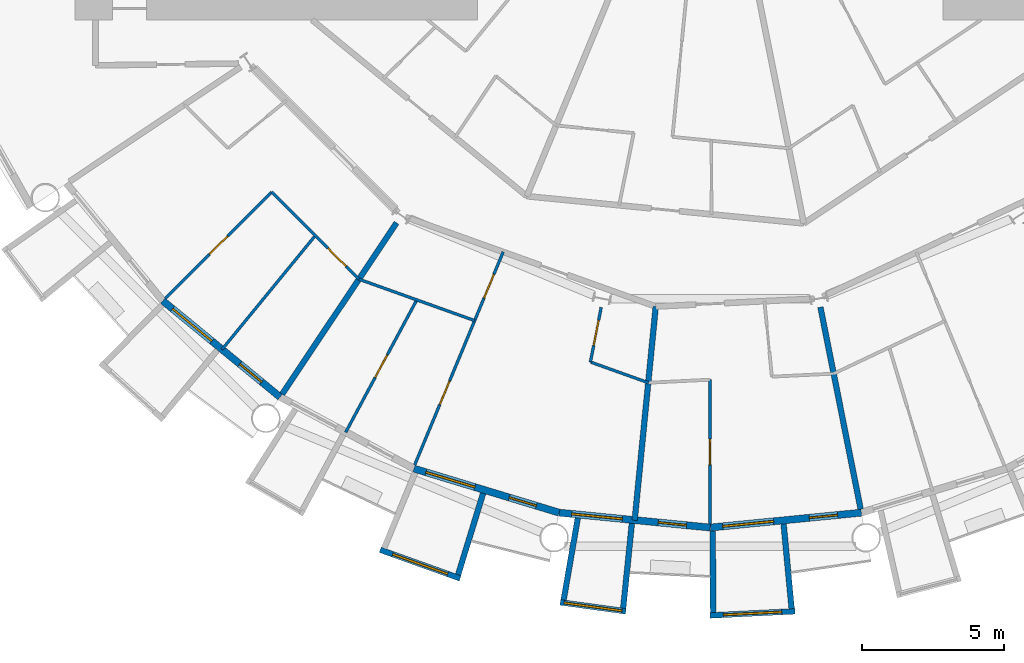
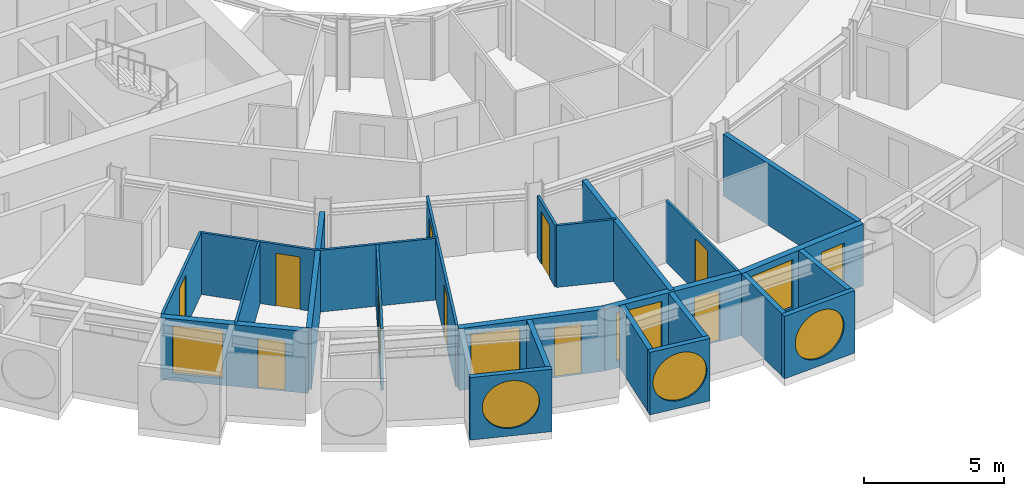
# One storey, part 13 of 26: 24 walls, 11 doors, 7 windows, 18 openings.
"""IFC4 building model written with IfcOpenShell, lengths in metres."""

from ifc_helpers import new_model, si_unit, direction, frame, frame_2d, origin, place, context, subcontext, project, spatial, rectangle, circle, extrude, material, layer, layer_set, type_object, element, fill, save


model = new_model("IFC4")

# Units and contexts
model_context = context("Model", 3, precision=1e-05, world=origin(), true_north=direction((0.0, 1.0)))
body_context = subcontext(model_context, "Body", "Model", "MODEL_VIEW")
ifc_project = project(units=[si_unit("LENGTHUNIT", "METRE"), si_unit("AREAUNIT", "SQUARE_METRE"), si_unit("VOLUMEUNIT", "CUBIC_METRE"), si_unit("PLANEANGLEUNIT", "RADIAN"), si_unit("MASSUNIT", "GRAM", prefix="KILO")], contexts=[model_context])

# Site, building, storey
site_placement = place(None, origin())
site = spatial("IfcSite", under=ifc_project, at=site_placement, CompositionType="ELEMENT")
building_placement = place(site_placement, origin())
building = spatial("IfcBuilding", under=site, at=building_placement, Name="Maasbend Ring Residences", CompositionType="ELEMENT")
storey_placement = place(building_placement, frame((0.0, 0.0, 25.85009765625)))
storey = spatial("IfcBuildingStorey", under=building, at=storey_placement, Name="L06", CompositionType="ELEMENT", Elevation=25.85009765625)

# Wall, opening, window
ifc_material_1 = material(Name="Pale anodised aluminium panel", Category="aluminium")
ifc_layer_1 = layer(ifc_material_1, 0.199951171875)
ifc_layer_set_1 = layer_set([ifc_layer_1], Name="EW-BOX")
wall_type_1 = type_object("IfcWallType", Name="EW-BOX", PredefinedType="SOLIDWALL", material=ifc_layer_set_1)
wall_1_placement = place(storey_placement, frame((-11.637939453125, -28.083984375, -0.030029296875), z_axis=(0.0, 0.0, 1.0), x_axis=(0.941461077774, -0.337121697664, 0.0)))
wall_1 = element("IfcWall", 1, at=wall_1_placement, inside=storey, type_object=wall_type_1, Name="Box front S07", PredefinedType="SOLIDWALL", context=body_context, shape_type="SweptSolid", body=[
    extrude(rectangle(XDim=2.9931640625, YDim=0.199951171875, at=frame_2d((1.49658203125, 0.0))), origin(), (0.0, 0.0, 1.0), 2.72998046875),
])
opening_1_placement = place(wall_1_placement, frame((0.45654296875, 0.0, 0.330078125)))
opening_1 = element("IfcOpeningElement", 2, at=opening_1_placement, cuts=wall_1, Name="Opening W-RD", PredefinedType="OPENING", context=body_context, shape_type="SweptSolid", body=[
    extrude(circle(Radius=1.0400390625, at=frame_2d((1.0400390625, 1.0400390625))), frame((0.0, 0.10986328125, 0.0), z_axis=(0.0, -1.0, 0.0), x_axis=(1.0, 0.0, 0.0)), (0.0, 0.0, 1.0), 0.219970703125),
])
ifc_material_2 = material(Name="Aluminium and clear glass", Category="aluminium")
window_type_1 = type_object("IfcWindowType", Name="W-RD", PartitioningType="SINGLE_PANEL", PredefinedType="WINDOW", material=ifc_material_2)
window_1_placement = place(opening_1_placement, origin())
window_1 = element("IfcWindow", 3, at=window_1_placement, inside=storey, type_object=window_type_1, Name="Round window S07", OverallHeight=2.080078125, OverallWidth=2.080078125, PartitioningType="SINGLE_PANEL", PredefinedType="WINDOW", context=body_context, shape_type="SweptSolid", body=[
    extrude(circle(Radius=1.0400390625, at=frame_2d((1.0400390625, 1.0400390625))), frame((0.0, 0.030029296875, 0.0), z_axis=(0.0, -1.0, 0.0), x_axis=(1.0, 0.0, 0.0)), (0.0, 0.0, 1.0), 0.06005859375),
])
fill(opening_1, window_1)

# Wall
wall_2_placement = place(storey_placement, frame((-8.009033203125, -26.092041015625, -0.030029296875), z_axis=(0.0, 0.0, 1.0), x_axis=(-0.293406695073, -0.955987715029, 0.0)))
element("IfcWall", 4, at=wall_2_placement, inside=storey, type_object=wall_type_1, Name="Box side wall S07 right", PredefinedType="SOLIDWALL", context=body_context, shape_type="SweptSolid", body=[
    extrude(rectangle(XDim=3.00634765625, YDim=0.199951171875, at=frame_2d((1.503173828125, 0.0))), origin(), (0.0, 0.0, 1.0), 2.72998046875),
])

# Wall, opening, window
wall_3_placement = place(storey_placement, frame((-5.2900390625, -29.93603515625, -0.030029296875), z_axis=(0.0, 0.0, 1.0), x_axis=(0.990696111261, -0.136092671119, 0.0)))
wall_3 = element("IfcWall", 5, at=wall_3_placement, inside=storey, type_object=wall_type_1, Name="Box front S09", PredefinedType="SOLIDWALL", context=body_context, shape_type="SweptSolid", body=[
    extrude(rectangle(XDim=2.335693359375, YDim=0.199951171875, at=frame_2d((1.16796875, 0.0))), origin(), (0.0, 0.0, 1.0), 2.72998046875),
])
opening_2_placement = place(wall_3_placement, frame((0.128173828125, 0.0, 0.330078125)))
opening_2 = element("IfcOpeningElement", 6, at=opening_2_placement, cuts=wall_3, Name="Opening W-RD", PredefinedType="OPENING", context=body_context, shape_type="SweptSolid", body=[
    extrude(circle(Radius=1.0400390625, at=frame_2d((1.0400390625, 1.0400390625))), frame((0.0, 0.10986328125, 0.0), z_axis=(0.0, -1.0, 0.0), x_axis=(1.0, 0.0, 0.0)), (0.0, 0.0, 1.0), 0.219970703125),
])
window_2_placement = place(opening_2_placement, origin())
window_2 = element("IfcWindow", 7, at=window_2_placement, inside=storey, type_object=window_type_1, Name="Round window S09", OverallHeight=2.080078125, OverallWidth=2.080078125, PartitioningType="SINGLE_PANEL", PredefinedType="WINDOW", context=body_context, shape_type="SweptSolid", body=[
    extrude(circle(Radius=1.0400390625, at=frame_2d((1.0400390625, 1.0400390625))), frame((0.0, 0.030029296875, 0.0), z_axis=(0.0, -1.0, 0.0), x_axis=(1.0, 0.0, 0.0)), (0.0, 0.0, 1.0), 0.06005859375),
])
fill(opening_2, window_2)

# Walls
wall_4_placement = place(storey_placement, frame((-4.6708984375, -26.966064453125, -0.030029296875), z_axis=(0.0, 0.0, 1.0), x_axis=(-0.170539878907, -0.985350774954, 0.0)))
element("IfcWall", 8, at=wall_4_placement, inside=storey, type_object=wall_type_1, Name="Box side wall S09 left", PredefinedType="SOLIDWALL", context=body_context, shape_type="SweptSolid", body=[
    extrude(rectangle(XDim=2.931884765625, YDim=0.199951171875, at=frame_2d((1.4658203125, 0.0))), origin(), (0.0, 0.0, 1.0), 2.72998046875),
])
wall_5_placement = place(storey_placement, frame((-2.763916015625, -27.153076171875, -0.030029296875), z_axis=(0.0, 0.0, 1.0), x_axis=(-0.101505487237, -0.994834979311, 0.0)))
element("IfcWall", 9, at=wall_5_placement, inside=storey, type_object=wall_type_1, Name="Box side wall S09 right", PredefinedType="SOLIDWALL", context=body_context, shape_type="SweptSolid", body=[
    extrude(rectangle(XDim=3.006591796875, YDim=0.199951171875, at=frame_2d((1.50341796875, 0.0))), origin(), (0.0, 0.0, 1.0), 2.72998046875),
])

# Wall, opening, window
wall_6_placement = place(storey_placement, frame((-0.0048828125, -30.39990234375, -0.030029296875), z_axis=(0.0, 0.0, 1.0), x_axis=(0.998794083011, 0.049095618353, 0.0)))
wall_6 = element("IfcWall", 10, at=wall_6_placement, inside=storey, type_object=wall_type_1, Name="Box front S11", PredefinedType="SOLIDWALL", context=body_context, shape_type="SweptSolid", body=[
    extrude(rectangle(XDim=2.99365234375, YDim=0.199951171875, at=frame_2d((1.496826171875, 0.0))), origin(), (0.0, 0.0, 1.0), 2.72998046875),
])
opening_3_placement = place(wall_6_placement, frame((0.45654296875, 0.0, 0.330078125)))
opening_3 = element("IfcOpeningElement", 11, at=opening_3_placement, cuts=wall_6, Name="Opening W-RD", PredefinedType="OPENING", context=body_context, shape_type="SweptSolid", body=[
    extrude(circle(Radius=1.0400390625, at=frame_2d((1.0400390625, 1.0400390625))), frame((0.0, 0.10986328125, 0.0), z_axis=(0.0, -1.0, 0.0), x_axis=(1.0, 0.0, 0.0)), (0.0, 0.0, 1.0), 0.219970703125),
])
window_3_placement = place(opening_3_placement, origin())
window_3 = element("IfcWindow", 12, at=window_3_placement, inside=storey, type_object=window_type_1, Name="Round window S11", OverallHeight=2.080078125, OverallWidth=2.080078125, PartitioningType="SINGLE_PANEL", PredefinedType="WINDOW", context=body_context, shape_type="SweptSolid", body=[
    extrude(circle(Radius=1.0400390625, at=frame_2d((1.0400390625, 1.0400390625))), frame((0.0, 0.030029296875, 0.0), z_axis=(0.0, -1.0, 0.0), x_axis=(1.0, 0.0, 0.0)), (0.0, 0.0, 1.0), 0.06005859375),
])
fill(opening_3, window_3)

# Walls
wall_7_placement = place(storey_placement, frame((0.090087890625, -27.4169921875, -0.030029296875), z_axis=(0.0, 0.0, 1.0), x_axis=(0.00347308367, -0.999993968827, 0.0)))
element("IfcWall", 13, at=wall_7_placement, inside=storey, type_object=wall_type_1, Name="Box side wall S11 left", PredefinedType="SOLIDWALL", context=body_context, shape_type="SweptSolid", body=[
    extrude(rectangle(XDim=2.882080078125, YDim=0.199951171875, at=frame_2d((1.44091796875, 0.0))), origin(), (0.0, 0.0, 1.0), 2.72998046875),
])
wall_8_placement = place(storey_placement, frame((2.5859375, -27.1708984375, -0.030029296875), z_axis=(0.0, 0.0, 1.0), x_axis=(0.094548432284, -0.995520262954, 0.0)))
element("IfcWall", 14, at=wall_8_placement, inside=storey, type_object=wall_type_1, Name="Box side wall S11 right", PredefinedType="SOLIDWALL", context=body_context, shape_type="SweptSolid", body=[
    extrude(rectangle(XDim=3.005615234375, YDim=0.199951171875, at=frame_2d((1.5029296875, 0.0))), origin(), (0.0, 0.0, 1.0), 2.72998046875),
])

# Wall, openings, door, window
ifc_material_3 = material(Name="Aluminium clad insulated panel", Category="aluminium")
ifc_layer_2 = layer(ifc_material_3, 0.25)
ifc_layer_set_2 = layer_set([ifc_layer_2], Name="EW-GL")
wall_type_2 = type_object("IfcWallType", Name="EW-GL", PredefinedType="SOLIDWALL", material=ifc_layer_set_2)
wall_9_placement = place(storey_placement, frame((-19.303955078125, -19.303955078125, 0.0), z_axis=(0.0, 0.0, 1.0), x_axis=(0.773019449054, -0.634382322723, 0.0)))
wall_9 = element("IfcWall", 15, at=wall_9_placement, inside=storey, type_object=wall_type_2, Name="External wall S02", PredefinedType="SOLIDWALL", context=body_context, shape_type="SweptSolid", body=[
    extrude(rectangle(XDim=5.351806640625, YDim=0.25, at=frame_2d((2.67578125, 0.0))), origin(), (0.0, 0.0, 1.0), 2.699951171875),
])
opening_4_placement = place(wall_9_placement, frame((0.441162109375, 0.0, 0.300048828125)))
opening_4 = element("IfcOpeningElement", 16, at=opening_4_placement, cuts=wall_9, Name="Opening W-BX", PredefinedType="OPENING", context=body_context, shape_type="SweptSolid", body=[
    extrude(rectangle(XDim=1.800048828125, YDim=2.10009765625, at=frame_2d((0.89990234375, 1.050048828125))), frame((0.0, 0.135009765625, 0.0), z_axis=(0.0, -1.0, 0.0), x_axis=(1.0, 0.0, 0.0)), (0.0, 0.0, 1.0), 0.27001953125),
])
opening_5_placement = place(wall_9_placement, frame((3.510498046875, 0.0, 0.0)))
opening_5 = element("IfcOpeningElement", 17, at=opening_5_placement, cuts=wall_9, Name="Opening D-LG", PredefinedType="OPENING", context=body_context, shape_type="SweptSolid", body=[
    extrude(rectangle(XDim=1.0, YDim=2.199951171875, at=frame_2d((0.5, 1.10009765625))), frame((0.0, 0.135009765625, 0.0), z_axis=(0.0, -1.0, 0.0), x_axis=(1.0, 0.0, 0.0)), (0.0, 0.0, 1.0), 0.27001953125),
])
ifc_material_4 = material(Name="Aluminium and clear glass", Category="aluminium")
door_type_1 = type_object("IfcDoorType", Name="D-LG", OperationType="SINGLE_SWING_LEFT", PredefinedType="DOOR", material=ifc_material_4)
door_1_placement = place(opening_5_placement, origin())
door_1 = element("IfcDoor", 18, at=door_1_placement, inside=storey, type_object=door_type_1, Name="Loggia door S04", OperationType="SINGLE_SWING_LEFT", OverallHeight=2.199951171875, OverallWidth=1.0, PredefinedType="DOOR", context=body_context, shape_type="SweptSolid", body=[
    extrude(rectangle(XDim=1.0, YDim=2.199951171875, at=frame_2d((0.5, 1.10009765625))), frame((0.0, 0.02490234375, 0.0), z_axis=(0.0, -1.0, 0.0), x_axis=(1.0, 0.0, 0.0)), (0.0, 0.0, 1.0), 0.050048828125),
])
fill(opening_5, door_1)
ifc_material_5 = material(Name="Aluminium and clear glass", Category="aluminium")
window_type_2 = type_object("IfcWindowType", Name="W-BX", PartitioningType="DOUBLE_PANEL_VERTICAL", PredefinedType="WINDOW", material=ifc_material_5)
window_4_placement = place(opening_4_placement, origin())
window_4 = element("IfcWindow", 19, at=window_4_placement, inside=storey, type_object=window_type_2, Name="Window S03 room to box", OverallHeight=2.10009765625, OverallWidth=1.800048828125, PartitioningType="SINGLE_PANEL", PredefinedType="WINDOW", context=body_context, shape_type="SweptSolid", body=[
    extrude(rectangle(XDim=1.800048828125, YDim=2.10009765625, at=frame_2d((0.89990234375, 1.050048828125))), frame((0.0, 0.030029296875, 0.0), z_axis=(0.0, -1.0, 0.0), x_axis=(1.0, 0.0, 0.0)), (0.0, 0.0, 1.0), 0.06005859375),
])
fill(opening_4, window_4)

wall_10_placement = place(storey_placement, frame((-10.447021484375, -25.221923828125, 0.0), z_axis=(0.0, 0.0, 1.0), x_axis=(0.956965678721, -0.290201119486, 0.0)))
wall_10 = element("IfcWall", 20, at=wall_10_placement, inside=storey, type_object=wall_type_2, Name="External wall S04", PredefinedType="SOLIDWALL", context=body_context, shape_type="SweptSolid", body=[
    extrude(rectangle(XDim=5.351318359375, YDim=0.25, at=frame_2d((2.67578125, 0.0))), origin(), (0.0, 0.0, 1.0), 2.699951171875),
])
opening_6_placement = place(wall_10_placement, frame((0.441162109375, 0.0, 0.300048828125)))
opening_6 = element("IfcOpeningElement", 21, at=opening_6_placement, cuts=wall_10, Name="Opening W-BX", PredefinedType="OPENING", context=body_context, shape_type="SweptSolid", body=[
    extrude(rectangle(XDim=1.800048828125, YDim=2.10009765625, at=frame_2d((0.89990234375, 1.050048828125))), frame((0.0, 0.135009765625, 0.0), z_axis=(0.0, -1.0, 0.0), x_axis=(1.0, 0.0, 0.0)), (0.0, 0.0, 1.0), 0.27001953125),
])
opening_7_placement = place(wall_10_placement, frame((3.510498046875, 0.0, 0.0)))
opening_7 = element("IfcOpeningElement", 22, at=opening_7_placement, cuts=wall_10, Name="Opening D-LG", PredefinedType="OPENING", context=body_context, shape_type="SweptSolid", body=[
    extrude(rectangle(XDim=1.0, YDim=2.199951171875, at=frame_2d((0.5, 1.10009765625))), frame((0.0, 0.135009765625, 0.0), z_axis=(0.0, -1.0, 0.0), x_axis=(1.0, 0.0, 0.0)), (0.0, 0.0, 1.0), 0.27001953125),
])
door_2_placement = place(opening_7_placement, origin())
door_2 = element("IfcDoor", 23, at=door_2_placement, inside=storey, type_object=door_type_1, Name="Loggia door S08", OperationType="SINGLE_SWING_LEFT", OverallHeight=2.199951171875, OverallWidth=1.0, PredefinedType="DOOR", context=body_context, shape_type="SweptSolid", body=[
    extrude(rectangle(XDim=1.0, YDim=2.199951171875, at=frame_2d((0.5, 1.10009765625))), frame((0.0, 0.02490234375, 0.0), z_axis=(0.0, -1.0, 0.0), x_axis=(1.0, 0.0, 0.0)), (0.0, 0.0, 1.0), 0.050048828125),
])
fill(opening_7, door_2)
window_5_placement = place(opening_6_placement, origin())
window_5 = element("IfcWindow", 24, at=window_5_placement, inside=storey, type_object=window_type_2, Name="Window S07 room to box", OverallHeight=2.10009765625, OverallWidth=1.800048828125, PartitioningType="SINGLE_PANEL", PredefinedType="WINDOW", context=body_context, shape_type="SweptSolid", body=[
    extrude(rectangle(XDim=1.800048828125, YDim=2.10009765625, at=frame_2d((0.89990234375, 1.050048828125))), frame((0.0, 0.030029296875, 0.0), z_axis=(0.0, -1.0, 0.0), x_axis=(1.0, 0.0, 0.0)), (0.0, 0.0, 1.0), 0.06005859375),
])
fill(opening_6, window_5)

wall_11_placement = place(storey_placement, frame((-5.325927734375, -26.77490234375, 0.0), z_axis=(0.0, 0.0, 1.0), x_axis=(0.995173996315, -0.098126026407, 0.0)))
wall_11 = element("IfcWall", 25, at=wall_11_placement, inside=storey, type_object=wall_type_2, Name="External wall S05", PredefinedType="SOLIDWALL", context=body_context, shape_type="SweptSolid", body=[
    extrude(rectangle(XDim=5.351806640625, YDim=0.25, at=frame_2d((2.67578125, 0.0))), origin(), (0.0, 0.0, 1.0), 2.699951171875),
])
opening_8_placement = place(wall_11_placement, frame((0.441162109375, 0.0, 0.300048828125)))
opening_8 = element("IfcOpeningElement", 26, at=opening_8_placement, cuts=wall_11, Name="Opening W-BX", PredefinedType="OPENING", context=body_context, shape_type="SweptSolid", body=[
    extrude(rectangle(XDim=1.800048828125, YDim=2.10009765625, at=frame_2d((0.89990234375, 1.050048828125))), frame((0.0, 0.135009765625, 0.0), z_axis=(0.0, -1.0, 0.0), x_axis=(1.0, 0.0, 0.0)), (0.0, 0.0, 1.0), 0.27001953125),
])
opening_9_placement = place(wall_11_placement, frame((3.510498046875, 0.0, 0.0)))
opening_9 = element("IfcOpeningElement", 27, at=opening_9_placement, cuts=wall_11, Name="Opening D-LG", PredefinedType="OPENING", context=body_context, shape_type="SweptSolid", body=[
    extrude(rectangle(XDim=1.0, YDim=2.199951171875, at=frame_2d((0.5, 1.10009765625))), frame((0.0, 0.135009765625, 0.0), z_axis=(0.0, -1.0, 0.0), x_axis=(1.0, 0.0, 0.0)), (0.0, 0.0, 1.0), 0.27001953125),
])
door_3_placement = place(opening_9_placement, origin())
door_3 = element("IfcDoor", 28, at=door_3_placement, inside=storey, type_object=door_type_1, Name="Loggia door S10", OperationType="SINGLE_SWING_LEFT", OverallHeight=2.199951171875, OverallWidth=1.0, PredefinedType="DOOR", context=body_context, shape_type="SweptSolid", body=[
    extrude(rectangle(XDim=1.0, YDim=2.199951171875, at=frame_2d((0.5, 1.10009765625))), frame((0.0, 0.02490234375, 0.0), z_axis=(0.0, -1.0, 0.0), x_axis=(1.0, 0.0, 0.0)), (0.0, 0.0, 1.0), 0.050048828125),
])
fill(opening_9, door_3)
window_6_placement = place(opening_8_placement, origin())
window_6 = element("IfcWindow", 29, at=window_6_placement, inside=storey, type_object=window_type_2, Name="Window S09 room to box", OverallHeight=2.10009765625, OverallWidth=1.800048828125, PartitioningType="SINGLE_PANEL", PredefinedType="WINDOW", context=body_context, shape_type="SweptSolid", body=[
    extrude(rectangle(XDim=1.800048828125, YDim=2.10009765625, at=frame_2d((0.89990234375, 1.050048828125))), frame((0.0, 0.030029296875, 0.0), z_axis=(0.0, -1.0, 0.0), x_axis=(1.0, 0.0, 0.0)), (0.0, 0.0, 1.0), 0.06005859375),
])
fill(opening_8, window_6)

wall_12_placement = place(storey_placement, frame((0.0, -27.300048828125, 0.0), z_axis=(0.0, 0.0, 1.0), x_axis=(0.995173996315, 0.098126026407, 0.0)))
wall_12 = element("IfcWall", 30, at=wall_12_placement, inside=storey, type_object=wall_type_2, Name="External wall S06", PredefinedType="SOLIDWALL", context=body_context, shape_type="SweptSolid", body=[
    extrude(rectangle(XDim=5.351806640625, YDim=0.25, at=frame_2d((2.67578125, 0.0))), origin(), (0.0, 0.0, 1.0), 2.699951171875),
])
opening_10_placement = place(wall_12_placement, frame((0.441162109375, 0.0, 0.300048828125)))
opening_10 = element("IfcOpeningElement", 31, at=opening_10_placement, cuts=wall_12, Name="Opening W-BX", PredefinedType="OPENING", context=body_context, shape_type="SweptSolid", body=[
    extrude(rectangle(XDim=1.800048828125, YDim=2.10009765625, at=frame_2d((0.89990234375, 1.050048828125))), frame((0.0, 0.135009765625, 0.0), z_axis=(0.0, -1.0, 0.0), x_axis=(1.0, 0.0, 0.0)), (0.0, 0.0, 1.0), 0.27001953125),
])
opening_11_placement = place(wall_12_placement, frame((3.510498046875, 0.0, 0.0)))
opening_11 = element("IfcOpeningElement", 32, at=opening_11_placement, cuts=wall_12, Name="Opening D-LG", PredefinedType="OPENING", context=body_context, shape_type="SweptSolid", body=[
    extrude(rectangle(XDim=1.0, YDim=2.199951171875, at=frame_2d((0.5, 1.10009765625))), frame((0.0, 0.135009765625, 0.0), z_axis=(0.0, -1.0, 0.0), x_axis=(1.0, 0.0, 0.0)), (0.0, 0.0, 1.0), 0.27001953125),
])
door_4_placement = place(opening_11_placement, origin())
door_4 = element("IfcDoor", 33, at=door_4_placement, inside=storey, type_object=door_type_1, Name="Loggia door S12", OperationType="SINGLE_SWING_LEFT", OverallHeight=2.199951171875, OverallWidth=1.0, PredefinedType="DOOR", context=body_context, shape_type="SweptSolid", body=[
    extrude(rectangle(XDim=1.0, YDim=2.199951171875, at=frame_2d((0.5, 1.10009765625))), frame((0.0, 0.02490234375, 0.0), z_axis=(0.0, -1.0, 0.0), x_axis=(1.0, 0.0, 0.0)), (0.0, 0.0, 1.0), 0.050048828125),
])
fill(opening_11, door_4)
window_7_placement = place(opening_10_placement, origin())
window_7 = element("IfcWindow", 34, at=window_7_placement, inside=storey, type_object=window_type_2, Name="Window S11 room to box", OverallHeight=2.10009765625, OverallWidth=1.800048828125, PartitioningType="SINGLE_PANEL", PredefinedType="WINDOW", context=body_context, shape_type="SweptSolid", body=[
    extrude(rectangle(XDim=1.800048828125, YDim=2.10009765625, at=frame_2d((0.89990234375, 1.050048828125))), frame((0.0, 0.030029296875, 0.0), z_axis=(0.0, -1.0, 0.0), x_axis=(1.0, 0.0, 0.0)), (0.0, 0.0, 1.0), 0.06005859375),
])
fill(opening_10, window_7)

# Wall, opening, door
ifc_material_6 = material(Name="Gypsum board on steel studs", Category="steel")
ifc_layer_3 = layer(ifc_material_6, 0.10009765625)
ifc_layer_set_3 = layer_set([ifc_layer_3], Name="PARTITION 100 GYPSUM")
wall_type_3 = type_object("IfcWallType", Name="PARTITION 100 GYPSUM", PredefinedType="PARTITIONING", material=ifc_layer_set_3)
wall_13_placement = place(storey_placement, frame((-15.462890625, -15.468017578125, 0.0), z_axis=(0.0, 0.0, 1.0), x_axis=(0.707106781187, -0.707106781187, 0.0)))
wall_13 = element("IfcWall", 35, at=wall_13_placement, inside=storey, type_object=wall_type_3, Name="U-L06-w006", PredefinedType="PARTITIONING", context=body_context, shape_type="SweptSolid", body=[
    extrude(rectangle(XDim=4.351318359375, YDim=0.10009765625, at=frame_2d((2.17578125, 0.0))), origin(), (0.0, 0.0, 1.0), 2.699951171875),
])
opening_12_placement = place(wall_13_placement, frame((2.80810546875, 0.0, 0.0)))
opening_12 = element("IfcOpeningElement", 36, at=opening_12_placement, cuts=wall_13, Name="Opening D-0636", PredefinedType="OPENING", context=body_context, shape_type="SweptSolid", body=[
    extrude(rectangle(XDim=0.89990234375, YDim=2.300048828125, at=frame_2d((0.449951171875, 1.14990234375))), frame((0.0, 0.06005859375, 0.0), z_axis=(0.0, -1.0, 0.0), x_axis=(1.0, 0.0, 0.0)), (0.0, 0.0, 1.0), 0.1201171875),
])
ifc_material_7 = material(Name="Timber, painted", Category="wood")
door_type_2 = type_object("IfcDoorType", Name="INTERNAL DOOR 900 X 2300", OperationType="NOTDEFINED", PredefinedType="DOOR", material=ifc_material_7)
door_5_placement = place(opening_12_placement, origin())
door_5 = element("IfcDoor", 37, at=door_5_placement, inside=storey, type_object=door_type_2, Name="D-0636", OperationType="SINGLE_SWING_RIGHT", OverallHeight=2.300048828125, OverallWidth=0.89990234375, PredefinedType="DOOR", context=body_context, shape_type="SweptSolid", body=[
    extrude(rectangle(XDim=0.89990234375, YDim=2.300048828125, at=frame_2d((0.449951171875, 1.14990234375))), frame((0.0, 0.02490234375, 0.0), z_axis=(0.0, -1.0, 0.0), x_axis=(1.0, 0.0, 0.0)), (0.0, 0.0, 1.0), 0.050048828125),
])
fill(opening_12, door_5)

# Walls
wall_14_placement = place(storey_placement, frame((-12.388916015625, -18.5419921875, 0.0), z_axis=(0.0, 0.0, 1.0), x_axis=(0.941556976264, -0.336853767159, 0.0)))
element("IfcWall", 38, at=wall_14_placement, inside=storey, type_object=wall_type_3, Name="U-L06-w009", PredefinedType="PARTITIONING", context=body_context, shape_type="SweptSolid", body=[
    extrude(rectangle(XDim=4.334228515625, YDim=0.10009765625, at=frame_2d((2.1669921875, 0.0))), origin(), (0.0, 0.0, 1.0), 2.699951171875),
])
wall_15_placement = place(storey_placement, frame((-4.216064453125, -21.466064453125, 0.0), z_axis=(0.0, 0.0, 1.0), x_axis=(0.941588922545, -0.33676445914, 0.0)))
element("IfcWall", 39, at=wall_15_placement, inside=storey, type_object=wall_type_3, Name="U-L06-w010", PredefinedType="PARTITIONING", context=body_context, shape_type="SweptSolid", body=[
    extrude(rectangle(XDim=2.167724609375, YDim=0.10009765625, at=frame_2d((1.083984375, 0.0))), origin(), (0.0, 0.0, 1.0), 2.699951171875),
])

# Wall, opening, door
wall_16_placement = place(storey_placement, frame((-19.216064453125, -19.216064453125, 0.0), z_axis=(0.0, 0.0, 1.0), x_axis=(0.707106781187, 0.707106781187, 0.0)))
wall_16 = element("IfcWall", 40, at=wall_16_placement, inside=storey, type_object=wall_type_3, Name="U-L06-w035", PredefinedType="PARTITIONING", context=body_context, shape_type="SweptSolid", body=[
    extrude(rectangle(XDim=5.3046875, YDim=0.10009765625, at=frame_2d((2.65234375, 0.0))), origin(), (0.0, 0.0, 1.0), 2.699951171875),
])
opening_13_placement = place(wall_16_placement, frame((2.201904296875, 0.0, 0.0)))
opening_13 = element("IfcOpeningElement", 41, at=opening_13_placement, cuts=wall_16, Name="Opening D-0635", PredefinedType="OPENING", context=body_context, shape_type="SweptSolid", body=[
    extrude(rectangle(XDim=0.89990234375, YDim=2.300048828125, at=frame_2d((0.449951171875, 1.14990234375))), frame((0.0, 0.06005859375, 0.0), z_axis=(0.0, -1.0, 0.0), x_axis=(1.0, 0.0, 0.0)), (0.0, 0.0, 1.0), 0.1201171875),
])
door_6_placement = place(opening_13_placement, origin())
door_6 = element("IfcDoor", 42, at=door_6_placement, inside=storey, type_object=door_type_2, Name="D-0635", OperationType="SINGLE_SWING_LEFT", OverallHeight=2.300048828125, OverallWidth=0.89990234375, PredefinedType="DOOR", context=body_context, shape_type="SweptSolid", body=[
    extrude(rectangle(XDim=0.89990234375, YDim=2.300048828125, at=frame_2d((0.449951171875, 1.14990234375))), frame((0.0, 0.02490234375, 0.0), z_axis=(0.0, -1.0, 0.0), x_axis=(1.0, 0.0, 0.0)), (0.0, 0.0, 1.0), 0.050048828125),
])
fill(opening_13, door_6)

# Wall
wall_17_placement = place(storey_placement, frame((-17.219970703125, -21.02294921875, 0.0), z_axis=(0.0, 0.0, 1.0), x_axis=(0.633774976367, 0.773517471898, 0.0)))
element("IfcWall", 43, at=wall_17_placement, inside=storey, type_object=wall_type_3, Name="U-L06-w038", PredefinedType="PARTITIONING", context=body_context, shape_type="SweptSolid", body=[
    extrude(rectangle(XDim=5.19580078125, YDim=0.10009765625, at=frame_2d((2.597900390625, 0.0))), origin(), (0.0, 0.0, 1.0), 2.699951171875),
])

# Wall, opening, door
wall_18_placement = place(storey_placement, frame((-12.85595703125, -23.94189453125, 0.0), z_axis=(0.0, 0.0, 1.0), x_axis=(0.472967735543, 0.881079747319, 0.0)))
wall_18 = element("IfcWall", 44, at=wall_18_placement, inside=storey, type_object=wall_type_3, Name="U-L06-w042", PredefinedType="PARTITIONING", context=body_context, shape_type="SweptSolid", body=[
    extrude(rectangle(XDim=5.30029296875, YDim=0.10009765625, at=frame_2d((2.650146484375, 0.0))), origin(), (0.0, 0.0, 1.0), 2.699951171875),
])
opening_14_placement = place(wall_18_placement, frame((2.199951171875, 0.0, 0.0)))
opening_14 = element("IfcOpeningElement", 45, at=opening_14_placement, cuts=wall_18, Name="Opening D-0641", PredefinedType="OPENING", context=body_context, shape_type="SweptSolid", body=[
    extrude(rectangle(XDim=0.89990234375, YDim=2.300048828125, at=frame_2d((0.449951171875, 1.14990234375))), frame((0.0, 0.06005859375, 0.0), z_axis=(0.0, -1.0, 0.0), x_axis=(1.0, 0.0, 0.0)), (0.0, 0.0, 1.0), 0.1201171875),
])
door_7_placement = place(opening_14_placement, origin())
door_7 = element("IfcDoor", 46, at=door_7_placement, inside=storey, type_object=door_type_2, Name="D-0641", OperationType="SINGLE_SWING_RIGHT", OverallHeight=2.300048828125, OverallWidth=0.89990234375, PredefinedType="DOOR", context=body_context, shape_type="SweptSolid", body=[
    extrude(rectangle(XDim=0.89990234375, YDim=2.300048828125, at=frame_2d((0.449951171875, 1.14990234375))), frame((0.0, 0.02490234375, 0.0), z_axis=(0.0, -1.0, 0.0), x_axis=(1.0, 0.0, 0.0)), (0.0, 0.0, 1.0), 0.050048828125),
])
fill(opening_14, door_7)

# Wall, openings, doors
wall_19_placement = place(storey_placement, frame((-10.424072265625, -25.095947265625, 0.0), z_axis=(0.0, 0.0, 1.0), x_axis=(0.383616168183, 0.923492628833, 0.0)))
wall_19 = element("IfcWall", 47, at=wall_19_placement, inside=storey, type_object=wall_type_3, Name="U-L06-w047", PredefinedType="PARTITIONING", context=body_context, shape_type="SweptSolid", body=[
    extrude(rectangle(XDim=8.138427734375, YDim=0.10009765625, at=frame_2d((4.0693359375, 0.0))), origin(), (0.0, 0.0, 1.0), 2.699951171875),
])
opening_15_placement = place(wall_19_placement, frame((6.376953125, 0.0, 0.0)))
opening_15 = element("IfcOpeningElement", 48, at=opening_15_placement, cuts=wall_19, Name="Opening D-0639", PredefinedType="OPENING", context=body_context, shape_type="SweptSolid", body=[
    extrude(rectangle(XDim=0.89990234375, YDim=2.300048828125, at=frame_2d((0.449951171875, 1.14990234375))), frame((0.0, 0.06005859375, 0.0), z_axis=(0.0, -1.0, 0.0), x_axis=(1.0, 0.0, 0.0)), (0.0, 0.0, 1.0), 0.1201171875),
])
opening_16_placement = place(wall_19_placement, frame((2.30810546875, 0.0, 0.0)))
opening_16 = element("IfcOpeningElement", 49, at=opening_16_placement, cuts=wall_19, Name="Opening D-0640", PredefinedType="OPENING", context=body_context, shape_type="SweptSolid", body=[
    extrude(rectangle(XDim=0.89990234375, YDim=2.300048828125, at=frame_2d((0.449951171875, 1.14990234375))), frame((0.0, 0.06005859375, 0.0), z_axis=(0.0, -1.0, 0.0), x_axis=(1.0, 0.0, 0.0)), (0.0, 0.0, 1.0), 0.1201171875),
])
door_8_placement = place(opening_15_placement, origin())
door_8 = element("IfcDoor", 50, at=door_8_placement, inside=storey, type_object=door_type_2, Name="D-0639", OperationType="SINGLE_SWING_RIGHT", OverallHeight=2.300048828125, OverallWidth=0.89990234375, PredefinedType="DOOR", context=body_context, shape_type="SweptSolid", body=[
    extrude(rectangle(XDim=0.89990234375, YDim=2.300048828125, at=frame_2d((0.449951171875, 1.14990234375))), frame((0.0, 0.02490234375, 0.0), z_axis=(0.0, -1.0, 0.0), x_axis=(1.0, 0.0, 0.0)), (0.0, 0.0, 1.0), 0.050048828125),
])
fill(opening_15, door_8)
door_9_placement = place(opening_16_placement, origin())
door_9 = element("IfcDoor", 51, at=door_9_placement, inside=storey, type_object=door_type_2, Name="D-0640", OperationType="SINGLE_SWING_LEFT", OverallHeight=2.300048828125, OverallWidth=0.89990234375, PredefinedType="DOOR", context=body_context, shape_type="SweptSolid", body=[
    extrude(rectangle(XDim=0.89990234375, YDim=2.300048828125, at=frame_2d((0.449951171875, 1.14990234375))), frame((0.0, 0.02490234375, 0.0), z_axis=(0.0, -1.0, 0.0), x_axis=(1.0, 0.0, 0.0)), (0.0, 0.0, 1.0), 0.050048828125),
])
fill(opening_16, door_9)

# Wall, opening, door
wall_20_placement = place(storey_placement, frame((-4.22607421875, -21.4619140625, 0.0), z_axis=(0.0, 0.0, 1.0), x_axis=(0.193055213522, 0.981187894611, 0.0)))
wall_20 = element("IfcWall", 52, at=wall_20_placement, inside=storey, type_object=wall_type_3, Name="U-L06-w057", PredefinedType="PARTITIONING", context=body_context, shape_type="SweptSolid", body=[
    extrude(rectangle(XDim=1.9638671875, YDim=0.10009765625, at=frame_2d((0.98193359375, 0.0))), origin(), (0.0, 0.0, 1.0), 2.699951171875),
])
opening_17_placement = place(wall_20_placement, frame((0.60009765625, 0.0, 0.0)))
opening_17 = element("IfcOpeningElement", 53, at=opening_17_placement, cuts=wall_20, Name="Opening D-0638", PredefinedType="OPENING", context=body_context, shape_type="SweptSolid", body=[
    extrude(rectangle(XDim=0.89990234375, YDim=2.300048828125, at=frame_2d((0.449951171875, 1.14990234375))), frame((0.0, 0.06005859375, 0.0), z_axis=(0.0, -1.0, 0.0), x_axis=(1.0, 0.0, 0.0)), (0.0, 0.0, 1.0), 0.1201171875),
])
door_10_placement = place(opening_17_placement, origin())
door_10 = element("IfcDoor", 54, at=door_10_placement, inside=storey, type_object=door_type_2, Name="D-0638", OperationType="SINGLE_SWING_RIGHT", OverallHeight=2.300048828125, OverallWidth=0.89990234375, PredefinedType="DOOR", context=body_context, shape_type="SweptSolid", body=[
    extrude(rectangle(XDim=0.89990234375, YDim=2.300048828125, at=frame_2d((0.449951171875, 1.14990234375))), frame((0.0, 0.02490234375, 0.0), z_axis=(0.0, -1.0, 0.0), x_axis=(1.0, 0.0, 0.0)), (0.0, 0.0, 1.0), 0.050048828125),
])
fill(opening_17, door_10)

wall_21_placement = place(storey_placement, frame((-0.009033203125, -27.175048828125, 0.0), z_axis=(0.0, 0.0, 1.0), x_axis=(0.000383785052, 0.999999926355, 0.0)))
wall_21 = element("IfcWall", 55, at=wall_21_placement, inside=storey, type_object=wall_type_3, Name="U-L06-w065", PredefinedType="PARTITIONING", context=body_context, shape_type="SweptSolid", body=[
    extrude(rectangle(XDim=5.089111328125, YDim=0.10009765625, at=frame_2d((2.54443359375, 0.0))), origin(), (0.0, 0.0, 1.0), 2.699951171875),
])
opening_18_placement = place(wall_21_placement, frame((2.094970703125, 0.0, 0.0)))
opening_18 = element("IfcOpeningElement", 56, at=opening_18_placement, cuts=wall_21, Name="Opening D-0644", PredefinedType="OPENING", context=body_context, shape_type="SweptSolid", body=[
    extrude(rectangle(XDim=0.89990234375, YDim=2.300048828125, at=frame_2d((0.449951171875, 1.14990234375))), frame((0.0, 0.06005859375, 0.0), z_axis=(0.0, -1.0, 0.0), x_axis=(1.0, 0.0, 0.0)), (0.0, 0.0, 1.0), 0.1201171875),
])
door_11_placement = place(opening_18_placement, origin())
door_11 = element("IfcDoor", 57, at=door_11_placement, inside=storey, type_object=door_type_2, Name="D-0644", OperationType="SINGLE_SWING_LEFT", OverallHeight=2.300048828125, OverallWidth=0.89990234375, PredefinedType="DOOR", context=body_context, shape_type="SweptSolid", body=[
    extrude(rectangle(XDim=0.89990234375, YDim=2.300048828125, at=frame_2d((0.449951171875, 1.14990234375))), frame((0.0, 0.02490234375, 0.0), z_axis=(0.0, -1.0, 0.0), x_axis=(1.0, 0.0, 0.0)), (0.0, 0.0, 1.0), 0.050048828125),
])
fill(opening_18, door_11)

# Walls
ifc_material_8 = material(Name="Concrete C30/37", Category="concrete")
ifc_layer_4 = layer(ifc_material_8, 0.199951171875)
ifc_layer_set_4 = layer_set([ifc_layer_4], Name="Concrete C30/37")
wall_type_4 = type_object("IfcWallType", Name="PARTY WALL 200 CONCRETE", PredefinedType="PARTITIONING", material=ifc_layer_set_4)
wall_22_placement = place(storey_placement, frame((-15.097900390625, -22.594970703125, 0.0), z_axis=(0.0, 0.0, 1.0), x_axis=(0.55566921314, 0.831403467378, 0.0)))
element("IfcWall", 58, at=wall_22_placement, inside=storey, type_object=wall_type_4, Name="U-L06-w041", PredefinedType="PARTITIONING", context=body_context, shape_type="SweptSolid", body=[
    extrude(rectangle(XDim=7.264892578125, YDim=0.199951171875, at=frame_2d((3.63232421875, 0.0))), origin(), (0.0, 0.0, 1.0), 2.699951171875),
])
wall_23_placement = place(storey_placement, frame((-2.6650390625, -27.0439453125, 0.0), z_axis=(0.0, 0.0, 1.0), x_axis=(0.098083473227, 0.99517819122, 0.0)))
element("IfcWall", 59, at=wall_23_placement, inside=storey, type_object=wall_type_4, Name="U-L06-w060", PredefinedType="PARTITIONING", context=body_context, shape_type="SweptSolid", body=[
    extrude(rectangle(XDim=7.574462890625, YDim=0.199951171875, at=frame_2d((3.787109375, 0.0))), origin(), (0.0, 0.0, 1.0), 2.699951171875),
])
wall_24_placement = place(storey_placement, frame((3.885009765625, -19.527099609375, 0.0), z_axis=(0.0, 0.0, 1.0), x_axis=(0.195159680851, -0.980771481524, 0.0)))
element("IfcWall", 60, at=wall_24_placement, inside=storey, type_object=wall_type_4, Name="U-L06-w075", PredefinedType="PARTITIONING", context=body_context, shape_type="SweptSolid", body=[
    extrude(rectangle(XDim=7.265625, YDim=0.199951171875, at=frame_2d((3.6328125, 0.0))), origin(), (0.0, 0.0, 1.0), 2.699951171875),
])

save(model, "model.ifc")
